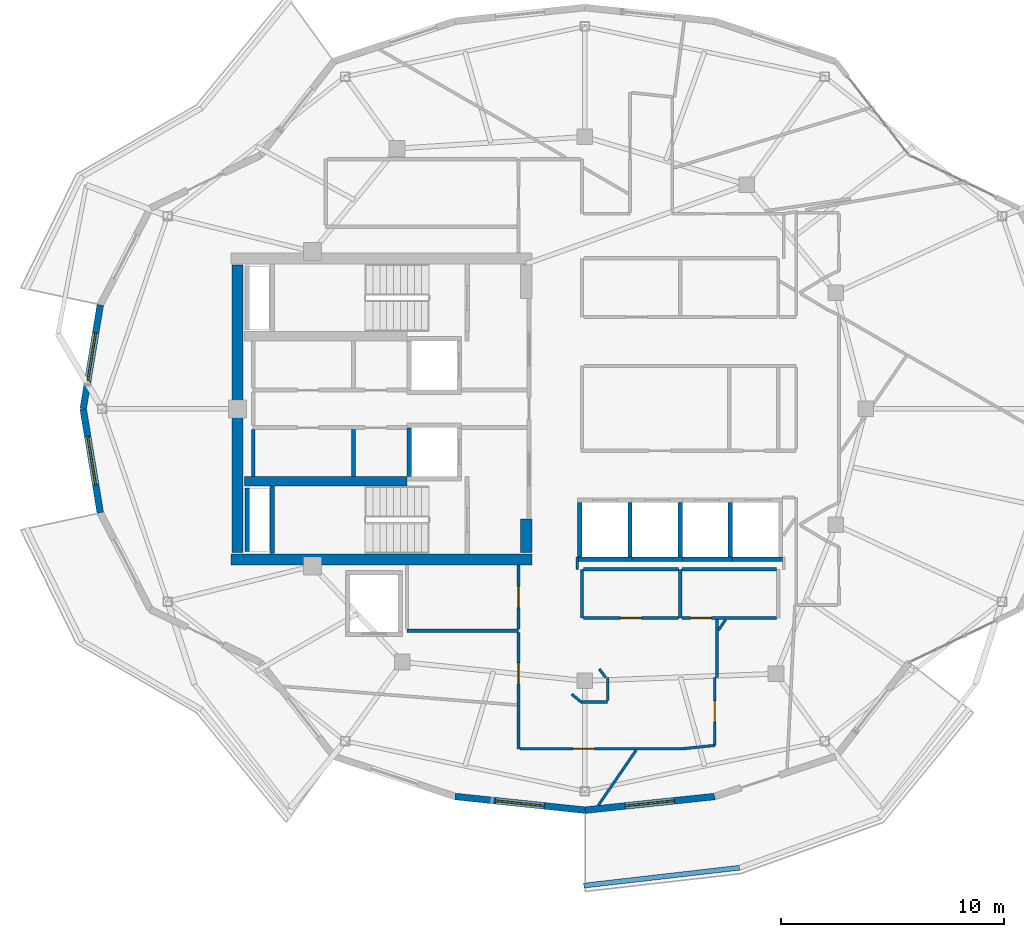
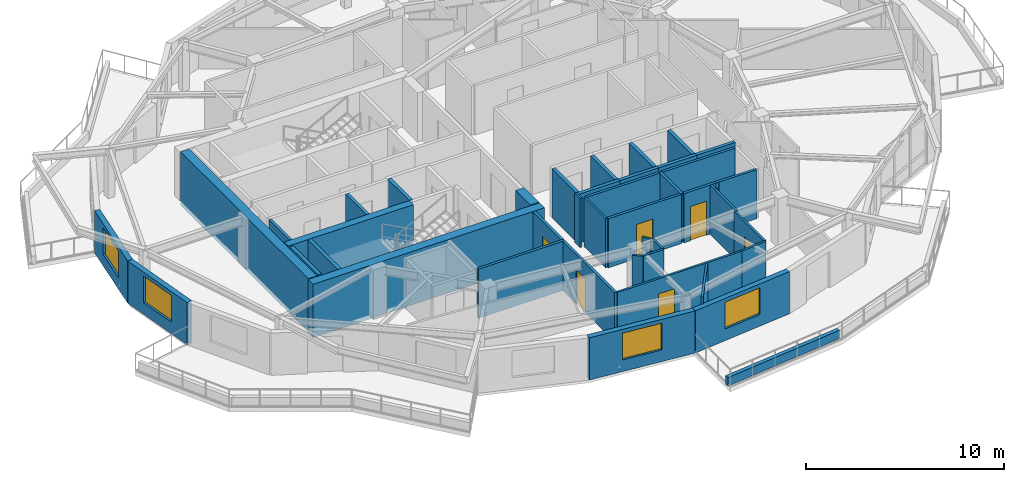
# One storey, part 7 of 14: 42 walls, 6 doors, 4 windows, 10 openings.
"""IFC4 building model written with IfcOpenShell, lengths in metres."""

from ifc_helpers import new_model, si_unit, direction, frame, frame_2d, origin, place, context, subcontext, project, spatial, rectangle, extrude, material, layer, layer_set, type_object, element, fill, save


model = new_model("IFC4")

# Units and contexts
model_context = context("Model", 3, precision=1e-05, world=origin(), true_north=direction((0.0, 1.0)))
body_context = subcontext(model_context, "Body", "Model", "MODEL_VIEW")
ifc_project = project(units=[si_unit("LENGTHUNIT", "METRE"), si_unit("AREAUNIT", "SQUARE_METRE"), si_unit("VOLUMEUNIT", "CUBIC_METRE"), si_unit("PLANEANGLEUNIT", "RADIAN"), si_unit("MASSUNIT", "GRAM", prefix="KILO")], contexts=[model_context])

# Site, building, storey
site_placement = place(None, origin())
site = spatial("IfcSite", under=ifc_project, at=site_placement, CompositionType="ELEMENT")
building_placement = place(site_placement, origin())
building = spatial("IfcBuilding", under=site, at=building_placement, Name="Kolvaren Gate Tower and Convention Centre", CompositionType="ELEMENT")
storey_placement = place(building_placement, frame((0.0, 0.0, 239.300048828125)))
storey = spatial("IfcBuildingStorey", under=building, at=storey_placement, Name="L64", CompositionType="ELEMENT", Elevation=239.300048828125)

# Walls
ifc_material_1 = material(Name="Autoclaved Aerated Masonry Blockwork Class 4 (4.0 MPa)", Category="masonry")
ifc_layer_1 = layer(ifc_material_1, 0.179931640625)
ifc_layer_set_1 = layer_set([ifc_layer_1], Name="Autoclaved Aerated Masonry Blockwork Class 4 (4.0 MPa)")
wall_type_1 = type_object("IfcWallType", Name="ARCH-WL-COMP-180", PredefinedType="SOLIDWALL", material=ifc_layer_set_1)
wall_1_placement = place(storey_placement, frame((19.75, 23.9619140625, 0.0), z_axis=(0.0, 0.0, 1.0), x_axis=(0.0, 1.0, 0.0)))
element("IfcWall", 1, at=wall_1_placement, inside=storey, type_object=wall_type_1, Name="Interior Partition WL-L64-INT-007", PredefinedType="SOLIDWALL", context=body_context, shape_type="SweptSolid", body=[
    extrude(rectangle(XDim=2.106201171875, YDim=0.179931640625, at=frame_2d((1.05322265625, 0.0))), origin(), (0.0, 0.0, 1.0), 3.030029296875),
])
ifc_material_2 = material(Name="Fire-Rated Acoustic Gypsum Stud Partition", Category="gypsum")
ifc_layer_2 = layer(ifc_material_2, 0.1201171875)
ifc_layer_set_2 = layer_set([ifc_layer_2], Name="Fire-Rated Acoustic Gypsum Stud Partition")
wall_type_2 = type_object("IfcWallType", Name="ARCH-WL-PART-120", PredefinedType="PARTITIONING", material=ifc_layer_set_2)
wall_2_placement = place(storey_placement, frame((30.0, 17.6201171875, 0.0), z_axis=(0.0, 0.0, 1.0), x_axis=(0.0, 1.0, 0.0)))
element("IfcWall", 2, at=wall_2_placement, inside=storey, type_object=wall_type_2, Name="Interior Partition WL-L64-INT-014", PredefinedType="PARTITIONING", context=body_context, shape_type="SweptSolid", body=[
    extrude(rectangle(XDim=2.179931640625, YDim=0.1201171875, at=frame_2d((1.08984375, 0.0))), origin(), (0.0, 0.0, 1.0), 3.030029296875),
])
wall_3_placement = place(storey_placement, frame((29.780029296875, 19.800048828125, 0.0), z_axis=(0.0, 0.0, 1.0), x_axis=(0.0, 1.0, 0.0)))
element("IfcWall", 3, at=wall_3_placement, inside=storey, type_object=wall_type_2, Name="Interior Partition WL-L64-INT-057", PredefinedType="PARTITIONING", context=body_context, shape_type="SweptSolid", body=[
    extrude(rectangle(XDim=0.56005859375, YDim=0.1201171875, at=frame_2d((0.280029296875, 0.0))), origin(), (0.0, 0.0, 1.0), 3.030029296875),
])
wall_4_placement = place(storey_placement, frame((36.050048828125, 14.949951171875, 0.0), z_axis=(0.0, 0.0, 1.0), x_axis=(0.0, 1.0, 0.0)))
element("IfcWall", 4, at=wall_4_placement, inside=storey, type_object=wall_type_2, Name="Interior Partition WL-L64-INT-058", PredefinedType="PARTITIONING", context=body_context, shape_type="SweptSolid", body=[
    extrude(rectangle(XDim=2.593017578125, YDim=0.1201171875, at=frame_2d((1.29638671875, 0.0))), origin(), (0.0, 0.0, 1.0), 3.030029296875),
])

# Wall, opening, door
wall_5_placement = place(storey_placement, frame((35.949951171875, 11.906005859375, 0.0), z_axis=(0.0, 0.0, 1.0), x_axis=(0.0, 1.0, 0.0)))
wall_5 = element("IfcWall", 5, at=wall_5_placement, inside=storey, type_object=wall_type_2, Name="Interior Partition WL-L64-INT-059", PredefinedType="PARTITIONING", context=body_context, shape_type="SweptSolid", body=[
    extrude(rectangle(XDim=3.0439453125, YDim=0.1201171875, at=frame_2d((1.52197265625, 0.0))), origin(), (0.0, 0.0, 1.0), 3.030029296875),
])
opening_1_placement = place(wall_5_placement, frame((1.047119140625, 0.0, 0.0)))
opening_1 = element("IfcOpeningElement", 6, at=opening_1_placement, cuts=wall_5, Name="Opening DR-01", PredefinedType="OPENING", context=body_context, shape_type="SweptSolid", body=[
    extrude(rectangle(XDim=0.949951171875, YDim=2.10009765625, at=frame_2d((0.47509765625, 1.050048828125))), frame((0.0, 0.070068359375, 0.0), z_axis=(0.0, -1.0, 0.0), x_axis=(1.0, 0.0, 0.0)), (0.0, 0.0, 1.0), 0.14013671875),
])
ifc_material_3 = material(Name="Painted Architectural Steelwork ASTM A500 Grade C 345 MPa", Category="steel")
door_type = type_object("IfcDoorType", Name="ARCH-DR-RISER-950", OperationType="SINGLE_SWING_RIGHT", PredefinedType="DOOR", material=ifc_material_3)
door_1_placement = place(opening_1_placement, origin())
door_1 = element("IfcDoor", 7, at=door_1_placement, inside=storey, type_object=door_type, Name="Resident Gourmet Market Boutique Door", OperationType="SINGLE_SWING_RIGHT", OverallHeight=2.10009765625, OverallWidth=0.949951171875, PredefinedType="DOOR", context=body_context, shape_type="SweptSolid", body=[
    extrude(rectangle(XDim=0.949951171875, YDim=2.10009765625, at=frame_2d((0.47509765625, 1.050048828125))), frame((0.0, 0.02490234375, 0.0), z_axis=(0.0, -1.0, 0.0), x_axis=(1.0, 0.0, 0.0)), (0.0, 0.0, 1.0), 0.050048828125),
])
fill(opening_1, door_1)

# Wall
wall_6_placement = place(storey_placement, frame((34.468017578125, 11.75, 0.0), z_axis=(0.0, 0.0, 1.0), x_axis=(0.994504555135, 0.104693313135, 0.0)))
element("IfcWall", 8, at=wall_6_placement, inside=storey, type_object=wall_type_2, Name="Interior Partition WL-L64-INT-060", PredefinedType="PARTITIONING", context=body_context, shape_type="SweptSolid", body=[
    extrude(rectangle(XDim=1.490234375, YDim=0.1201171875, at=frame_2d((0.7451171875, 0.0))), origin(), (0.0, 0.0, 1.0), 3.030029296875),
])

# Wall, opening, door
wall_7_placement = place(storey_placement, frame((27.22705078125, 11.75, 0.0), z_axis=(0.0, 0.0, 1.0), x_axis=(1.0, 0.0, 0.0)))
wall_7 = element("IfcWall", 9, at=wall_7_placement, inside=storey, type_object=wall_type_2, Name="Interior Partition WL-L64-INT-061", PredefinedType="PARTITIONING", context=body_context, shape_type="SweptSolid", body=[
    extrude(rectangle(XDim=7.240966796875, YDim=0.1201171875, at=frame_2d((3.62060546875, 0.0))), origin(), (0.0, 0.0, 1.0), 3.030029296875),
])
opening_2_placement = place(wall_7_placement, frame((2.37548828125, 0.0, 0.0)))
opening_2 = element("IfcOpeningElement", 10, at=opening_2_placement, cuts=wall_7, Name="Opening DR-01", PredefinedType="OPENING", context=body_context, shape_type="SweptSolid", body=[
    extrude(rectangle(XDim=0.949951171875, YDim=2.10009765625, at=frame_2d((0.47509765625, 1.050048828125))), frame((0.0, 0.070068359375, 0.0), z_axis=(0.0, -1.0, 0.0), x_axis=(1.0, 0.0, 0.0)), (0.0, 0.0, 1.0), 0.14013671875),
])
door_2_placement = place(opening_2_placement, origin())
door_2 = element("IfcDoor", 11, at=door_2_placement, inside=storey, type_object=door_type, Name="Resident Private Study Door", OperationType="SINGLE_SWING_LEFT", OverallHeight=2.10009765625, OverallWidth=0.949951171875, PredefinedType="DOOR", context=body_context, shape_type="SweptSolid", body=[
    extrude(rectangle(XDim=0.949951171875, YDim=2.10009765625, at=frame_2d((0.47509765625, 1.050048828125))), frame((0.0, 0.02490234375, 0.0), z_axis=(0.0, -1.0, 0.0), x_axis=(1.0, 0.0, 0.0)), (0.0, 0.0, 1.0), 0.050048828125),
])
fill(opening_2, door_2)

# Walls
wall_8_placement = place(storey_placement, frame((29.9599609375, 13.85009765625, 0.0), z_axis=(0.0, 0.0, 1.0), x_axis=(1.0, 0.0, 0.0)))
element("IfcWall", 12, at=wall_8_placement, inside=storey, type_object=wall_type_2, Name="Interior Partition WL-L64-INT-062", PredefinedType="PARTITIONING", context=body_context, shape_type="SweptSolid", body=[
    extrude(rectangle(XDim=1.18994140625, YDim=0.1201171875, at=frame_2d((0.594970703125, 0.0))), origin(), (0.0, 0.0, 1.0), 3.030029296875),
])
wall_9_placement = place(storey_placement, frame((31.14990234375, 13.912109375, 0.0), z_axis=(0.0, 0.0, 1.0), x_axis=(0.0, 1.0, 0.0)))
element("IfcWall", 13, at=wall_9_placement, inside=storey, type_object=wall_type_2, Name="Interior Partition WL-L64-INT-063", PredefinedType="PARTITIONING", context=body_context, shape_type="SweptSolid", body=[
    extrude(rectangle(XDim=1.037841796875, YDim=0.1201171875, at=frame_2d((0.51904296875, 0.0))), origin(), (0.0, 0.0, 1.0), 3.030029296875),
])
wall_10_placement = place(storey_placement, frame((30.77392578125, 15.3330078125, 0.0), z_axis=(0.0, 0.0, 1.0), x_axis=(0.595814974861, -0.803121731577, 0.0)))
element("IfcWall", 14, at=wall_10_placement, inside=storey, type_object=wall_type_2, Name="Interior Partition WL-L64-INT-064", PredefinedType="PARTITIONING", context=body_context, shape_type="SweptSolid", body=[
    extrude(rectangle(XDim=0.47705078125, YDim=0.1201171875, at=frame_2d((0.238525390625, 0.0))), origin(), (0.0, 0.0, 1.0), 3.030029296875),
])
wall_11_placement = place(storey_placement, frame((29.531005859375, 14.2060546875, 0.0), z_axis=(0.0, 0.0, 1.0), x_axis=(0.7695479554, -0.638589026166, 0.0)))
element("IfcWall", 15, at=wall_11_placement, inside=storey, type_object=wall_type_2, Name="Interior Partition WL-L64-INT-065", PredefinedType="PARTITIONING", context=body_context, shape_type="SweptSolid", body=[
    extrude(rectangle(XDim=0.557373046875, YDim=0.1201171875, at=frame_2d((0.27880859375, 0.0))), origin(), (0.0, 0.0, 1.0), 3.030029296875),
])
wall_12_placement = place(storey_placement, frame((30.72998046875, 9.216552734375, 0.0), z_axis=(0.0, 0.0, 1.0), x_axis=(0.565501438977, 0.82474730828, 0.0)))
element("IfcWall", 16, at=wall_12_placement, inside=storey, type_object=wall_type_2, Name="Interior Partition WL-L64-INT-067", PredefinedType="PARTITIONING", context=body_context, shape_type="SweptSolid", body=[
    extrude(rectangle(XDim=2.99658203125, YDim=0.1201171875, at=frame_2d((1.498291015625, 0.0))), origin(), (0.0, 0.0, 1.0), 3.030029296875),
])
wall_13_placement = place(storey_placement, frame((36.112060546875, 17.06689453125, 0.0), z_axis=(0.0, 0.0, 1.0), x_axis=(0.565487257316, 0.824757031987, 0.0)))
element("IfcWall", 17, at=wall_13_placement, inside=storey, type_object=wall_type_2, Name="Interior Partition WL-L64-INT-068", PredefinedType="PARTITIONING", context=body_context, shape_type="SweptSolid", body=[
    extrude(rectangle(XDim=0.5771484375, YDim=0.1201171875, at=frame_2d((0.28857421875, 0.0))), origin(), (0.0, 0.0, 1.0), 3.030029296875),
])
ifc_material_4 = material(Name="Piedmont Cream Honed Limestone Cladding", Category="masonry")
ifc_layer_3 = layer(ifc_material_4, 0.219970703125)
ifc_layer_set_3 = layer_set([ifc_layer_3], Name="Piedmont Cream Honed Limestone Cladding")
wall_type_3 = type_object("IfcWallType", Name="ARCH-WL-PLANTER-220", PredefinedType="PARAPET", material=ifc_layer_set_3)
wall_14_placement = place(storey_placement, frame((30.07958984375, 5.6162109375, 0.0), z_axis=(0.0, 0.0, 1.0), x_axis=(0.993458716016, 0.114191854231, 0.0)))
element("IfcWall", 18, at=wall_14_placement, inside=storey, type_object=wall_type_3, Name="Vertical-Forest Balcony Stone Planter Kerb PK-L64-3.1", PredefinedType="PARAPET", context=body_context, shape_type="SweptSolid", body=[
    extrude(rectangle(XDim=7.03173828125, YDim=0.219970703125, at=frame_2d((3.515869140625, 0.0))), origin(), (0.0, 0.0, 1.0), 0.52001953125),
])
ifc_layer_4 = layer(ifc_material_1, 0.199951171875)
ifc_layer_set_4 = layer_set([ifc_layer_4], Name="Autoclaved Aerated Masonry Blockwork Class 4 (4.0 MPa)")
wall_type_4 = type_object("IfcWallType", Name="ARCH-WL-SHAFT-200", PredefinedType="SOLIDWALL", material=ifc_layer_set_4)
wall_15_placement = place(storey_placement, frame((22.25, 23.969970703125, 0.0), z_axis=(0.0, 0.0, 1.0), x_axis=(0.0, 1.0, 0.0)))
element("IfcWall", 19, at=wall_15_placement, inside=storey, type_object=wall_type_4, Name="Elevator FF-02 L64 Fire Shaft Wall W", PredefinedType="SOLIDWALL", context=body_context, shape_type="SweptSolid", body=[
    extrude(rectangle(XDim=2.179931640625, YDim=0.199951171875, at=frame_2d((1.08984375, 0.0))), origin(), (0.0, 0.0, 1.0), 3.030029296875),
])
wall_16_placement = place(storey_placement, frame((29.800048828125, 20.25, 0.0), z_axis=(0.0, 0.0, 1.0), x_axis=(1.0, 0.0, 0.0)))
element("IfcWall", 20, at=wall_16_placement, inside=storey, type_object=wall_type_4, Name="Elevator PL-09 L64 Fire Shaft Wall S", PredefinedType="SOLIDWALL", context=body_context, shape_type="SweptSolid", body=[
    extrude(rectangle(XDim=2.449951171875, YDim=0.199951171875, at=frame_2d((1.22509765625, 0.0))), origin(), (0.0, 0.0, 1.0), 3.030029296875),
])
for number, where, z_axis, x_axis, name in (
    (21, (29.89990234375, 20.360107421875, 0.0), (0.0, 0.0, 1.0), (0.0, 1.0, 0.0), "Elevator PL-09 L64 Fire Shaft Wall W"),
    (22, (32.14990234375, 20.360107421875, 0.0), (0.0, 0.0, 1.0), (0.0, 1.0, 0.0), "Elevator PL-09 L64 Fire Shaft Wall E"),
):
    element("IfcWall", number, at=place(storey_placement, frame(where, z_axis=z_axis, x_axis=x_axis)), inside=storey, type_object=wall_type_4, Name=name, PredefinedType="SOLIDWALL", context=body_context, shape_type="SweptSolid", body=[
        extrude(rectangle(XDim=2.429931640625, YDim=0.199951171875, at=frame_2d((1.21484375, 0.0))), origin(), (0.0, 0.0, 1.0), 3.030029296875),
    ])
wall_17_placement = place(storey_placement, frame((32.25, 20.25, 0.0), z_axis=(0.0, 0.0, 1.0), x_axis=(1.0, 0.0, 0.0)))
element("IfcWall", 23, at=wall_17_placement, inside=storey, type_object=wall_type_4, Name="Elevator PL-10 L64 Fire Shaft Wall S", PredefinedType="SOLIDWALL", context=body_context, shape_type="SweptSolid", body=[
    extrude(rectangle(XDim=2.25, YDim=0.199951171875, at=frame_2d((1.125, 0.0))), origin(), (0.0, 0.0, 1.0), 3.030029296875),
])
wall_18_placement = place(storey_placement, frame((34.39990234375, 20.360107421875, 0.0), z_axis=(0.0, 0.0, 1.0), x_axis=(0.0, 1.0, 0.0)))
element("IfcWall", 24, at=wall_18_placement, inside=storey, type_object=wall_type_4, Name="Elevator PL-10 L64 Fire Shaft Wall E", PredefinedType="SOLIDWALL", context=body_context, shape_type="SweptSolid", body=[
    extrude(rectangle(XDim=2.429931640625, YDim=0.199951171875, at=frame_2d((1.21484375, 0.0))), origin(), (0.0, 0.0, 1.0), 3.030029296875),
])
wall_19_placement = place(storey_placement, frame((34.5, 20.25, 0.0), z_axis=(0.0, 0.0, 1.0), x_axis=(1.0, 0.0, 0.0)))
element("IfcWall", 25, at=wall_19_placement, inside=storey, type_object=wall_type_4, Name="Elevator PL-11 L64 Fire Shaft Wall S", PredefinedType="SOLIDWALL", context=body_context, shape_type="SweptSolid", body=[
    extrude(rectangle(XDim=2.25, YDim=0.199951171875, at=frame_2d((1.125, 0.0))), origin(), (0.0, 0.0, 1.0), 3.030029296875),
])
wall_20_placement = place(storey_placement, frame((36.64990234375, 20.360107421875, 0.0), z_axis=(0.0, 0.0, 1.0), x_axis=(0.0, 1.0, 0.0)))
element("IfcWall", 26, at=wall_20_placement, inside=storey, type_object=wall_type_4, Name="Elevator PL-11 L64 Fire Shaft Wall E", PredefinedType="SOLIDWALL", context=body_context, shape_type="SweptSolid", body=[
    extrude(rectangle(XDim=2.429931640625, YDim=0.199951171875, at=frame_2d((1.21484375, 0.0))), origin(), (0.0, 0.0, 1.0), 3.030029296875),
])
wall_21_placement = place(storey_placement, frame((36.75, 20.25, 0.0), z_axis=(0.0, 0.0, 1.0), x_axis=(1.0, 0.0, 0.0)))
element("IfcWall", 27, at=wall_21_placement, inside=storey, type_object=wall_type_4, Name="Elevator PL-12 L64 Fire Shaft Wall S", PredefinedType="SOLIDWALL", context=body_context, shape_type="SweptSolid", body=[
    extrude(rectangle(XDim=2.25, YDim=0.199951171875, at=frame_2d((1.125, 0.0))), origin(), (0.0, 0.0, 1.0), 3.030029296875),
])
wall_22_placement = place(storey_placement, frame((14.989990234375, 20.60009765625, 0.0), z_axis=(0.0, 0.0, 1.0), x_axis=(0.0, 1.0, 0.0)))
element("IfcWall", 28, at=wall_22_placement, inside=storey, type_object=wall_type_4, Name="Vertical Shaft MPR L64 EI-120 Enclosure Wall W", PredefinedType="SOLIDWALL", context=body_context, shape_type="SweptSolid", body=[
    extrude(rectangle(XDim=2.849853515625, YDim=0.199951171875, at=frame_2d((1.4248046875, 0.0))), origin(), (0.0, 0.0, 1.0), 3.030029296875),
])

# Wall, opening, window
ifc_layer_5 = layer(ifc_material_4, 0.300048828125)
ifc_layer_set_5 = layer_set([ifc_layer_5], Name="Piedmont Cream Honed Limestone Cladding")
wall_type_5 = type_object("IfcWallType", Name="ARCH-WL-STONE-300", PredefinedType="SOLIDWALL", material=ifc_layer_set_5)
wall_23_placement = place(storey_placement, frame((7.625, 27.0, 0.0), z_axis=(0.0, 0.0, 1.0), x_axis=(0.162369371657, 0.986730047758, 0.0)))
wall_23 = element("IfcWall", 29, at=wall_23_placement, inside=storey, type_object=wall_type_5, Name="Tower L64 Honed Stone Spandrel Wall EW-11", PredefinedType="SOLIDWALL", context=body_context, shape_type="SweptSolid", body=[
    extrude(rectangle(XDim=4.721435546875, YDim=0.300048828125, at=frame_2d((2.36083984375, 0.0))), origin(), (0.0, 0.0, 1.0), 2.60498046875),
])
opening_3_placement = place(wall_23_placement, frame((1.260986328125, 0.0, 0.719970703125)))
opening_3 = element("IfcOpeningElement", 30, at=opening_3_placement, cuts=wall_23, Name="Opening W-03", PredefinedType="OPENING", context=body_context, shape_type="SweptSolid", body=[
    extrude(rectangle(XDim=2.199951171875, YDim=1.64990234375, at=frame_2d((1.10009765625, 0.824951171875))), frame((0.0, 0.159912109375, 0.0), z_axis=(0.0, -1.0, 0.0), x_axis=(1.0, 0.0, 0.0)), (0.0, 0.0, 1.0), 0.320068359375),
])
ifc_material_5 = material(Name="Low-E Triple Insulated Glazing Unit 44 mm", Category="glass")
window_type = type_object("IfcWindowType", Name="ARCH-WN-RES-2200", PartitioningType="SINGLE_PANEL", PredefinedType="WINDOW", material=ifc_material_5)
window_1_placement = place(opening_3_placement, origin())
window_1 = element("IfcWindow", 31, at=window_1_placement, inside=storey, type_object=window_type, Name="Tower L64 Punched Stone Facade Window W-11", OverallHeight=1.64990234375, OverallWidth=2.199951171875, PartitioningType="SINGLE_PANEL", PredefinedType="WINDOW", context=body_context, shape_type="SweptSolid", body=[
    extrude(rectangle(XDim=2.199951171875, YDim=1.64990234375, at=frame_2d((1.10009765625, 0.824951171875))), frame((0.0, 0.030029296875, 0.0), z_axis=(0.0, -1.0, 0.0), x_axis=(1.0, 0.0, 0.0)), (0.0, 0.0, 1.0), 0.06005859375),
])
fill(opening_3, window_1)

wall_24_placement = place(storey_placement, frame((7.625, 27.0, 0.0), z_axis=(0.0, 0.0, 1.0), x_axis=(0.162369371657, -0.986730047758, 0.0)))
wall_24 = element("IfcWall", 32, at=wall_24_placement, inside=storey, type_object=wall_type_5, Name="Tower L64 Honed Stone Spandrel Wall EW-12", PredefinedType="SOLIDWALL", context=body_context, shape_type="SweptSolid", body=[
    extrude(rectangle(XDim=4.721435546875, YDim=0.300048828125, at=frame_2d((2.36083984375, 0.0))), origin(), (0.0, 0.0, 1.0), 2.60498046875),
])
opening_4_placement = place(wall_24_placement, frame((1.260986328125, 0.0, 0.719970703125)))
opening_4 = element("IfcOpeningElement", 33, at=opening_4_placement, cuts=wall_24, Name="Opening W-03", PredefinedType="OPENING", context=body_context, shape_type="SweptSolid", body=[
    extrude(rectangle(XDim=2.199951171875, YDim=1.64990234375, at=frame_2d((1.10009765625, 0.824951171875))), frame((0.0, 0.159912109375, 0.0), z_axis=(0.0, -1.0, 0.0), x_axis=(1.0, 0.0, 0.0)), (0.0, 0.0, 1.0), 0.320068359375),
])
window_2_placement = place(opening_4_placement, origin())
window_2 = element("IfcWindow", 34, at=window_2_placement, inside=storey, type_object=window_type, Name="Tower L64 Punched Stone Facade Window W-12", OverallHeight=1.64990234375, OverallWidth=2.199951171875, PartitioningType="SINGLE_PANEL", PredefinedType="WINDOW", context=body_context, shape_type="SweptSolid", body=[
    extrude(rectangle(XDim=2.199951171875, YDim=1.64990234375, at=frame_2d((1.10009765625, 0.824951171875))), frame((0.0, 0.030029296875, 0.0), z_axis=(0.0, -1.0, 0.0), x_axis=(1.0, 0.0, 0.0)), (0.0, 0.0, 1.0), 0.06005859375),
])
fill(opening_4, window_2)

wall_25_placement = place(storey_placement, frame((24.301513671875, 9.61328125, 0.0), z_axis=(0.0, 0.0, 1.0), x_axis=(0.994500425783, -0.10473253132, 0.0)))
wall_25 = element("IfcWall", 35, at=wall_25_placement, inside=storey, type_object=wall_type_5, Name="Tower L64 Honed Stone Spandrel Wall EW-17", PredefinedType="SOLIDWALL", context=body_context, shape_type="SweptSolid", body=[
    extrude(rectangle(XDim=5.855712890625, YDim=0.300048828125, at=frame_2d((2.927734375, 0.0))), origin(), (0.0, 0.0, 1.0), 2.60498046875),
])
opening_5_placement = place(wall_25_placement, frame((1.827880859375, 0.0, 0.719970703125)))
opening_5 = element("IfcOpeningElement", 36, at=opening_5_placement, cuts=wall_25, Name="Opening W-03", PredefinedType="OPENING", context=body_context, shape_type="SweptSolid", body=[
    extrude(rectangle(XDim=2.199951171875, YDim=1.64990234375, at=frame_2d((1.10009765625, 0.824951171875))), frame((0.0, 0.159912109375, 0.0), z_axis=(0.0, -1.0, 0.0), x_axis=(1.0, 0.0, 0.0)), (0.0, 0.0, 1.0), 0.320068359375),
])
window_3_placement = place(opening_5_placement, origin())
window_3 = element("IfcWindow", 37, at=window_3_placement, inside=storey, type_object=window_type, Name="Tower L64 Punched Stone Facade Window W-17", OverallHeight=1.64990234375, OverallWidth=2.199951171875, PartitioningType="SINGLE_PANEL", PredefinedType="WINDOW", context=body_context, shape_type="SweptSolid", body=[
    extrude(rectangle(XDim=2.199951171875, YDim=1.64990234375, at=frame_2d((1.10009765625, 0.824951171875))), frame((0.0, 0.030029296875, 0.0), z_axis=(0.0, -1.0, 0.0), x_axis=(1.0, 0.0, 0.0)), (0.0, 0.0, 1.0), 0.06005859375),
])
fill(opening_5, window_3)

wall_26_placement = place(storey_placement, frame((30.125, 9.0, 0.0), z_axis=(0.0, 0.0, 1.0), x_axis=(0.994500425783, 0.10473253132, 0.0)))
wall_26 = element("IfcWall", 38, at=wall_26_placement, inside=storey, type_object=wall_type_5, Name="Tower L64 Honed Stone Spandrel Wall EW-18", PredefinedType="SOLIDWALL", context=body_context, shape_type="SweptSolid", body=[
    extrude(rectangle(XDim=5.855712890625, YDim=0.300048828125, at=frame_2d((2.927734375, 0.0))), origin(), (0.0, 0.0, 1.0), 2.60498046875),
])
opening_6_placement = place(wall_26_placement, frame((1.827880859375, 0.0, 0.719970703125)))
opening_6 = element("IfcOpeningElement", 39, at=opening_6_placement, cuts=wall_26, Name="Opening W-03", PredefinedType="OPENING", context=body_context, shape_type="SweptSolid", body=[
    extrude(rectangle(XDim=2.199951171875, YDim=1.64990234375, at=frame_2d((1.10009765625, 0.824951171875))), frame((0.0, 0.159912109375, 0.0), z_axis=(0.0, -1.0, 0.0), x_axis=(1.0, 0.0, 0.0)), (0.0, 0.0, 1.0), 0.320068359375),
])
window_4_placement = place(opening_6_placement, origin())
window_4 = element("IfcWindow", 40, at=window_4_placement, inside=storey, type_object=window_type, Name="Tower L64 Punched Stone Facade Window W-18", OverallHeight=1.64990234375, OverallWidth=2.199951171875, PartitioningType="SINGLE_PANEL", PredefinedType="WINDOW", context=body_context, shape_type="SweptSolid", body=[
    extrude(rectangle(XDim=2.199951171875, YDim=1.64990234375, at=frame_2d((1.10009765625, 0.824951171875))), frame((0.0, 0.030029296875, 0.0), z_axis=(0.0, -1.0, 0.0), x_axis=(1.0, 0.0, 0.0)), (0.0, 0.0, 1.0), 0.06005859375),
])
fill(opening_6, window_4)

# Walls
ifc_material_6 = material(Name="Moisture-Resistant Cement-Board Acoustic Partition", Category="gypsum")
ifc_layer_6 = layer(ifc_material_6, 0.14990234375)
ifc_layer_set_6 = layer_set([ifc_layer_6], Name="Moisture-Resistant Cement-Board Acoustic Partition")
wall_type_6 = type_object("IfcWallType", Name="ARCH-WL-WET-150", PredefinedType="PARTITIONING", material=ifc_layer_set_6)
wall_27_placement = place(storey_placement, frame((15.25, 23.9619140625, 0.0), z_axis=(0.0, 0.0, 1.0), x_axis=(0.0, 1.0, 0.0)))
element("IfcWall", 41, at=wall_27_placement, inside=storey, type_object=wall_type_6, Name="Interior Partition WL-L64-INT-006", PredefinedType="PARTITIONING", context=body_context, shape_type="SweptSolid", body=[
    extrude(rectangle(XDim=2.106201171875, YDim=0.14990234375, at=frame_2d((1.05322265625, 0.0))), origin(), (0.0, 0.0, 1.0), 3.030029296875),
])
wall_28_placement = place(storey_placement, frame((22.14990234375, 17.050048828125, 0.0), z_axis=(0.0, 0.0, 1.0), x_axis=(1.0, 0.0, 0.0)))
element("IfcWall", 42, at=wall_28_placement, inside=storey, type_object=wall_type_6, Name="Interior Partition WL-L64-INT-009", PredefinedType="PARTITIONING", context=body_context, shape_type="SweptSolid", body=[
    extrude(rectangle(XDim=5.0, YDim=0.14990234375, at=frame_2d((2.5, 0.0))), origin(), (0.0, 0.0, 1.0), 3.030029296875),
])

# Wall, opening, door
wall_29_placement = place(storey_placement, frame((27.14990234375, 11.75, 0.0), z_axis=(0.0, 0.0, 1.0), x_axis=(0.0, 1.0, 0.0)))
wall_29 = element("IfcWall", 43, at=wall_29_placement, inside=storey, type_object=wall_type_6, Name="Interior Partition WL-L64-INT-011", PredefinedType="PARTITIONING", context=body_context, shape_type="SweptSolid", body=[
    extrude(rectangle(XDim=5.222900390625, YDim=0.14990234375, at=frame_2d((2.611328125, 0.0))), origin(), (0.0, 0.0, 1.0), 3.030029296875),
])
opening_7_placement = place(wall_29_placement, frame((2.91162109375, 0.0, 0.0)))
opening_7 = element("IfcOpeningElement", 44, at=opening_7_placement, cuts=wall_29, Name="Opening DR-01", PredefinedType="OPENING", context=body_context, shape_type="SweptSolid", body=[
    extrude(rectangle(XDim=0.949951171875, YDim=2.10009765625, at=frame_2d((0.47509765625, 1.050048828125))), frame((0.0, 0.0849609375, 0.0), z_axis=(0.0, -1.0, 0.0), x_axis=(1.0, 0.0, 0.0)), (0.0, 0.0, 1.0), 0.169921875),
])
door_3_placement = place(opening_7_placement, origin())
door_3 = element("IfcDoor", 45, at=door_3_placement, inside=storey, type_object=door_type, Name="Resident Private Study and Home Office Door", OperationType="SINGLE_SWING_RIGHT", OverallHeight=2.10009765625, OverallWidth=0.949951171875, PredefinedType="DOOR", context=body_context, shape_type="SweptSolid", body=[
    extrude(rectangle(XDim=0.949951171875, YDim=2.10009765625, at=frame_2d((0.47509765625, 1.050048828125))), frame((0.0, 0.02490234375, 0.0), z_axis=(0.0, -1.0, 0.0), x_axis=(1.0, 0.0, 0.0)), (0.0, 0.0, 1.0), 0.050048828125),
])
fill(opening_7, door_3)

wall_30_placement = place(storey_placement, frame((27.14990234375, 17.126953125, 0.0), z_axis=(0.0, 0.0, 1.0), x_axis=(0.0, 1.0, 0.0)))
wall_30 = element("IfcWall", 46, at=wall_30_placement, inside=storey, type_object=wall_type_6, Name="Interior Partition WL-L64-INT-011 (2)", PredefinedType="PARTITIONING", context=body_context, shape_type="SweptSolid", body=[
    extrude(rectangle(XDim=2.87109375, YDim=0.14990234375, at=frame_2d((1.435546875, 0.0))), origin(), (0.0, 0.0, 1.0), 3.030029296875),
])
opening_8_placement = place(wall_30_placement, frame((0.96044921875, 0.0, 0.0)))
opening_8 = element("IfcOpeningElement", 47, at=opening_8_placement, cuts=wall_30, Name="Opening DR-01", PredefinedType="OPENING", context=body_context, shape_type="SweptSolid", body=[
    extrude(rectangle(XDim=0.949951171875, YDim=2.10009765625, at=frame_2d((0.47509765625, 1.050048828125))), frame((0.0, 0.0849609375, 0.0), z_axis=(0.0, -1.0, 0.0), x_axis=(1.0, 0.0, 0.0)), (0.0, 0.0, 1.0), 0.169921875),
])
door_4_placement = place(opening_8_placement, origin())
door_4 = element("IfcDoor", 48, at=door_4_placement, inside=storey, type_object=door_type, Name="West Linen and Supply Store Door", OperationType="SINGLE_SWING_LEFT", OverallHeight=2.10009765625, OverallWidth=0.949951171875, PredefinedType="DOOR", context=body_context, shape_type="SweptSolid", body=[
    extrude(rectangle(XDim=0.949951171875, YDim=2.10009765625, at=frame_2d((0.47509765625, 1.050048828125))), frame((0.0, 0.02490234375, 0.0), z_axis=(0.0, -1.0, 0.0), x_axis=(1.0, 0.0, 0.0)), (0.0, 0.0, 1.0), 0.050048828125),
])
fill(opening_8, door_4)

# Wall
wall_31_placement = place(storey_placement, frame((34.39990234375, 17.6201171875, 0.0), z_axis=(0.0, 0.0, 1.0), x_axis=(0.0, 1.0, 0.0)))
element("IfcWall", 49, at=wall_31_placement, inside=storey, type_object=wall_type_6, Name="Interior Partition WL-L64-INT-025", PredefinedType="PARTITIONING", context=body_context, shape_type="SweptSolid", body=[
    extrude(rectangle(XDim=2.179931640625, YDim=0.14990234375, at=frame_2d((1.08984375, 0.0))), origin(), (0.0, 0.0, 1.0), 3.030029296875),
])

# Wall, opening, door
wall_32_placement = place(storey_placement, frame((30.06201171875, 17.6201171875, 0.0), z_axis=(0.0, 0.0, 1.0), x_axis=(1.0, 0.0, 0.0)))
wall_32 = element("IfcWall", 50, at=wall_32_placement, inside=storey, type_object=wall_type_6, Name="Interior Partition WL-L64-INT-027", PredefinedType="PARTITIONING", context=body_context, shape_type="SweptSolid", body=[
    extrude(rectangle(XDim=4.260986328125, YDim=0.14990234375, at=frame_2d((2.13037109375, 0.0))), origin(), (0.0, 0.0, 1.0), 3.030029296875),
])
opening_9_placement = place(wall_32_placement, frame((1.655517578125, 0.0, 0.0)))
opening_9 = element("IfcOpeningElement", 51, at=opening_9_placement, cuts=wall_32, Name="Opening DR-01", PredefinedType="OPENING", context=body_context, shape_type="SweptSolid", body=[
    extrude(rectangle(XDim=0.949951171875, YDim=2.10009765625, at=frame_2d((0.47509765625, 1.050048828125))), frame((0.0, 0.0849609375, 0.0), z_axis=(0.0, -1.0, 0.0), x_axis=(1.0, 0.0, 0.0)), (0.0, 0.0, 1.0), 0.169921875),
])
door_5_placement = place(opening_9_placement, origin())
door_5 = element("IfcDoor", 52, at=door_5_placement, inside=storey, type_object=door_type, Name="Resident Wine Pantry Door", OperationType="SINGLE_SWING_RIGHT", OverallHeight=2.10009765625, OverallWidth=0.949951171875, PredefinedType="DOOR", context=body_context, shape_type="SweptSolid", body=[
    extrude(rectangle(XDim=0.949951171875, YDim=2.10009765625, at=frame_2d((0.47509765625, 1.050048828125))), frame((0.0, 0.02490234375, 0.0), z_axis=(0.0, -1.0, 0.0), x_axis=(1.0, 0.0, 0.0)), (0.0, 0.0, 1.0), 0.050048828125),
])
fill(opening_9, door_5)

wall_33_placement = place(storey_placement, frame((34.47705078125, 17.6201171875, 0.0), z_axis=(0.0, 0.0, 1.0), x_axis=(1.0, 0.0, 0.0)))
wall_33 = element("IfcWall", 53, at=wall_33_placement, inside=storey, type_object=wall_type_6, Name="Interior Partition WL-L64-INT-027 (2)", PredefinedType="PARTITIONING", context=body_context, shape_type="SweptSolid", body=[
    extrude(rectangle(XDim=4.245849609375, YDim=0.14990234375, at=frame_2d((2.123046875, 0.0))), origin(), (0.0, 0.0, 1.0), 3.030029296875),
])
opening_10_placement = place(wall_33_placement, frame((0.37646484375, 0.0, 0.0)))
opening_10 = element("IfcOpeningElement", 54, at=opening_10_placement, cuts=wall_33, Name="Opening DR-01", PredefinedType="OPENING", context=body_context, shape_type="SweptSolid", body=[
    extrude(rectangle(XDim=0.949951171875, YDim=2.10009765625, at=frame_2d((0.47509765625, 1.050048828125))), frame((0.0, 0.0849609375, 0.0), z_axis=(0.0, -1.0, 0.0), x_axis=(1.0, 0.0, 0.0)), (0.0, 0.0, 1.0), 0.169921875),
])
door_6_placement = place(opening_10_placement, origin())
door_6 = element("IfcDoor", 55, at=door_6_placement, inside=storey, type_object=door_type, Name="Parcel Cold Store Door", OperationType="SINGLE_SWING_LEFT", OverallHeight=2.10009765625, OverallWidth=0.949951171875, PredefinedType="DOOR", context=body_context, shape_type="SweptSolid", body=[
    extrude(rectangle(XDim=0.949951171875, YDim=2.10009765625, at=frame_2d((0.47509765625, 1.050048828125))), frame((0.0, 0.02490234375, 0.0), z_axis=(0.0, -1.0, 0.0), x_axis=(1.0, 0.0, 0.0)), (0.0, 0.0, 1.0), 0.050048828125),
])
fill(opening_10, door_6)

# Walls
wall_34_placement = place(storey_placement, frame((30.06201171875, 19.800048828125, 0.0), z_axis=(0.0, 0.0, 1.0), x_axis=(1.0, 0.0, 0.0)))
element("IfcWall", 56, at=wall_34_placement, inside=storey, type_object=wall_type_6, Name="Interior Partition WL-L64-INT-028", PredefinedType="PARTITIONING", context=body_context, shape_type="SweptSolid", body=[
    extrude(rectangle(XDim=4.260986328125, YDim=0.14990234375, at=frame_2d((2.13037109375, 0.0))), origin(), (0.0, 0.0, 1.0), 3.030029296875),
])
wall_35_placement = place(storey_placement, frame((34.47705078125, 19.800048828125, 0.0), z_axis=(0.0, 0.0, 1.0), x_axis=(1.0, 0.0, 0.0)))
element("IfcWall", 57, at=wall_35_placement, inside=storey, type_object=wall_type_6, Name="Interior Partition WL-L64-INT-028 (2)", PredefinedType="PARTITIONING", context=body_context, shape_type="SweptSolid", body=[
    extrude(rectangle(XDim=4.245849609375, YDim=0.14990234375, at=frame_2d((2.123046875, 0.0))), origin(), (0.0, 0.0, 1.0), 3.030029296875),
])
ifc_material_7 = material(Name="Concrete C50/60", Category="concrete")
ifc_layer_7 = layer(ifc_material_7, 0.419921875)
ifc_layer_set_7 = layer_set([ifc_layer_7], Name="Concrete C50/60")
wall_type_7 = type_object("IfcWallType", Name="STR-WL-CONV-420", PredefinedType="SHEAR", material=ifc_layer_set_7)
wall_36_placement = place(storey_placement, frame((14.85009765625, 23.75, -0.27001953125), z_axis=(0.0, 0.0, 1.0), x_axis=(1.0, 0.0, 0.0)))
element("IfcWall", 58, at=wall_36_placement, inside=storey, type_object=wall_type_7, Name="Tower L64 Offset Core Shear Wall WS", PredefinedType="SHEAR", context=body_context, shape_type="SweptSolid", body=[
    extrude(rectangle(XDim=7.2998046875, YDim=0.419921875, at=frame_2d((3.64990234375, 0.0))), origin(), (0.0, 0.0, 1.0), 3.300048828125),
])
ifc_layer_8 = layer(ifc_material_7, 0.5)
ifc_layer_set_8 = layer_set([ifc_layer_8], Name="Concrete C50/60")
wall_type_8 = type_object("IfcWallType", Name="STR-WL-CORE-500", PredefinedType="SHEAR", material=ifc_layer_set_8)
wall_37_placement = place(storey_placement, frame((14.25, 20.25, -0.27001953125), z_axis=(0.0, 0.0, 1.0), x_axis=(1.0, 0.0, 0.0)))
element("IfcWall", 59, at=wall_37_placement, inside=storey, type_object=wall_type_8, Name="Tower L64 Offset Core Shear Wall S", PredefinedType="SHEAR", context=body_context, shape_type="SweptSolid", body=[
    extrude(rectangle(XDim=13.5, YDim=0.5, at=frame_2d((6.75, 0.0))), origin(), (0.0, 0.0, 1.0), 3.300048828125),
])
wall_38_placement = place(storey_placement, frame((14.550048828125, 20.550048828125, -0.27001953125), z_axis=(0.0, 0.0, 1.0), x_axis=(0.0, 1.0, 0.0)))
element("IfcWall", 60, at=wall_38_placement, inside=storey, type_object=wall_type_8, Name="Tower L64 Offset Core Shear Wall W", PredefinedType="SHEAR", context=body_context, shape_type="SweptSolid", body=[
    extrude(rectangle(XDim=12.89990234375, YDim=0.5, at=frame_2d((6.449951171875, 0.0))), origin(), (0.0, 0.0, 1.0), 3.300048828125),
])
wall_39_placement = place(storey_placement, frame((27.5, 20.550048828125, -0.27001953125), z_axis=(0.0, 0.0, 1.0), x_axis=(0.0, 1.0, 0.0)))
element("IfcWall", 61, at=wall_39_placement, inside=storey, type_object=wall_type_8, Name="Tower L64 Offset Core Shear Wall ES", PredefinedType="SHEAR", context=body_context, shape_type="SweptSolid", body=[
    extrude(rectangle(XDim=1.5, YDim=0.5, at=frame_2d((0.75, 0.0))), origin(), (0.0, 0.0, 1.0), 3.300048828125),
])
ifc_layer_9 = layer(ifc_material_7, 0.199951171875)
ifc_layer_set_9 = layer_set([ifc_layer_9], Name="Concrete C50/60")
wall_type_9 = type_object("IfcWallType", Name="STR-WL-SHAFT-200", PredefinedType="SHEAR", material=ifc_layer_set_9)
wall_40_placement = place(storey_placement, frame((16.10009765625, 20.501953125, -0.27001953125), z_axis=(0.0, 0.0, 1.0), x_axis=(0.0, 1.0, 0.0)))
element("IfcWall", 62, at=wall_40_placement, inside=storey, type_object=wall_type_9, Name="Tower South Exit Stair ST-T2 L64 Structural Shear Enclosure Wall FAR", PredefinedType="SHEAR", context=body_context, shape_type="SweptSolid", body=[
    extrude(rectangle(XDim=3.0361328125, YDim=0.199951171875, at=frame_2d((1.51806640625, 0.0))), origin(), (0.0, 0.0, 1.0), 3.300048828125),
])

save(model, "model.ifc")
